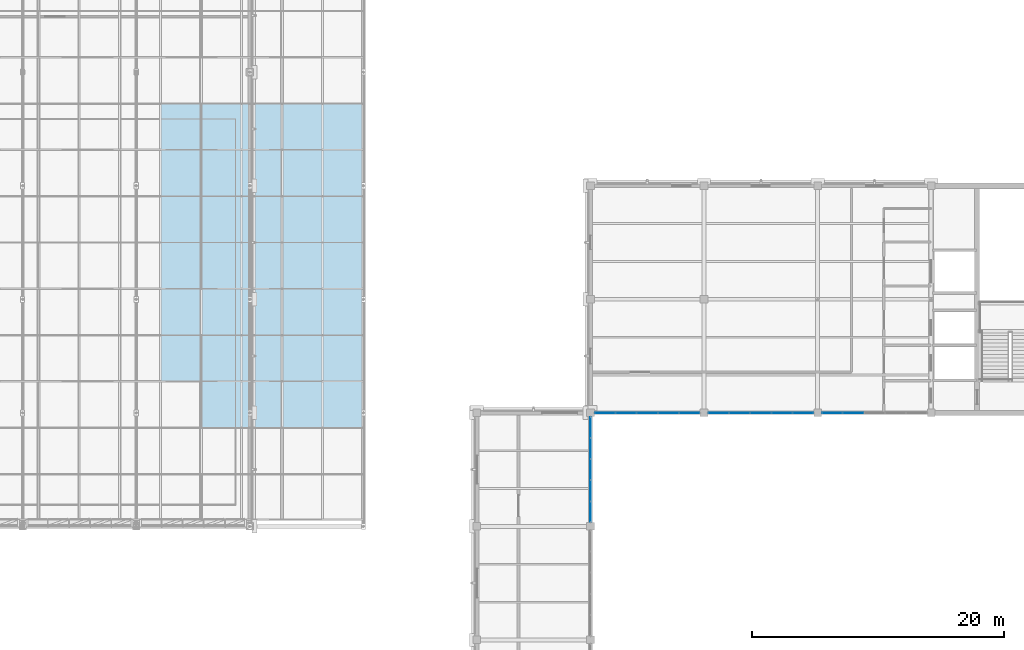
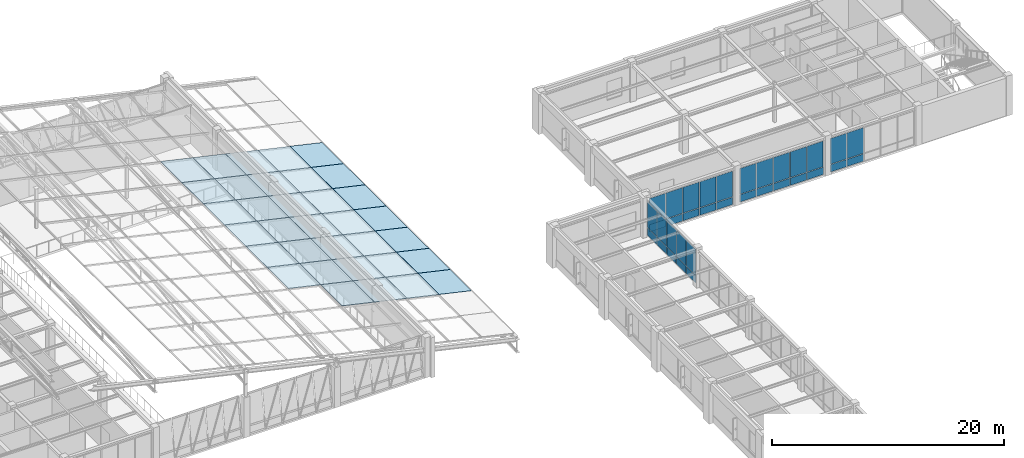
# One storey, part 107 of 130: 68 plates, 7 elements without a shape of their own.
"""IFC4 building model written with IfcOpenShell, lengths in metres."""

from ifc_helpers import new_model, si_unit, direction, frame, origin, origin_2d, place, context, subcontext, project, spatial, rectangle, extrude, material, layer, layer_set, type_object, element, aggregate, save


model = new_model("IFC4")

# Units and contexts
model_context = context("Model", 3, precision=1e-05, world=origin(), true_north=direction((0.0, 1.0)))
body_context = subcontext(model_context, "Body", "Model", "MODEL_VIEW")
ifc_project = project(units=[si_unit("LENGTHUNIT", "METRE"), si_unit("AREAUNIT", "SQUARE_METRE"), si_unit("VOLUMEUNIT", "CUBIC_METRE"), si_unit("PLANEANGLEUNIT", "RADIAN"), si_unit("MASSUNIT", "GRAM", prefix="KILO")], contexts=[model_context])

# Site, building, storey
site_placement = place(None, origin())
site = spatial("IfcSite", under=ifc_project, at=site_placement, CompositionType="ELEMENT")
building_placement = place(site_placement, origin())
building = spatial("IfcBuilding", under=site, at=building_placement, Name="Lykobir Media Centre", CompositionType="ELEMENT")
storey_placement = place(building_placement, frame((0.0, 0.0, 19.199951171875)))
storey = spatial("IfcBuildingStorey", under=building, at=storey_placement, Name="L04", CompositionType="ELEMENT", Elevation=19.199951171875)

# Curtain wall, plates
ifc_material_1 = material(Name="Anodized Aluminium AW-6060", Category="aluminium")
curtain_wall_type_1 = type_object("IfcCurtainWallType", Name="CW-COURT-B", PredefinedType="NOTDEFINED", material=ifc_material_1)
curtain_wall_1_placement = place(storey_placement, origin())
curtain_wall_1 = element("IfcCurtainWall", 1, at=curtain_wall_1_placement, inside=storey, type_object=curtain_wall_type_1, Name="Curtain wall CW2-L04-0177", PredefinedType="NOTDEFINED")
ifc_material_2 = material(Name="Low-E Laminated Triple Glazing", Category="glass")
ifc_layer_1 = layer(ifc_material_2, 0.0380859375, Name="Low-E Laminated Triple Glazing")
ifc_layer_set_1 = layer_set([ifc_layer_1], Name="Low-E Laminated Triple Glazing")
plate_type_1 = type_object("IfcPlateType", Name="CWP-GLZ-38", PredefinedType="CURTAIN_PANEL", material=ifc_layer_set_1)
plate_1_placement = place(storey_placement, frame((99.0, 70.84228515625, 0.87744140625), z_axis=(0.0, 0.0, 1.0), x_axis=(0.0, -1.0, 0.0)))
plate_1 = element("IfcPlate", 2, at=plate_1_placement, type_object=plate_type_1, Name="CW2-L04-0177 panel 1.2", PredefinedType="CURTAIN_PANEL", context=body_context, shape_type="SweptSolid", body=[
    extrude(rectangle(XDim=1.595458984375, YDim=0.0380859375, at=origin_2d()), origin(), (0.0, 0.0, 1.0), 2.71044921875),
])
plate_2_placement = place(storey_placement, frame((99.0, 69.177978515625, 0.87744140625), z_axis=(0.0, 0.0, 1.0), x_axis=(0.0, -1.0, 0.0)))
plate_2 = element("IfcPlate", 3, at=plate_2_placement, type_object=plate_type_1, Name="CW2-L04-0177 panel 2.2", PredefinedType="CURTAIN_PANEL", context=body_context, shape_type="SweptSolid", body=[
    extrude(rectangle(XDim=1.623046875, YDim=0.0380859375, at=origin_2d()), origin(), (0.0, 0.0, 1.0), 2.71044921875),
])
plate_3_placement = place(storey_placement, frame((99.0, 67.5, 0.87744140625), z_axis=(0.0, 0.0, 1.0), x_axis=(0.0, -1.0, 0.0)))
plate_3 = element("IfcPlate", 4, at=plate_3_placement, type_object=plate_type_1, Name="CW2-L04-0177 panel 3.2", PredefinedType="CURTAIN_PANEL", context=body_context, shape_type="SweptSolid", body=[
    extrude(rectangle(XDim=1.623046875, YDim=0.0380859375, at=origin_2d()), origin(), (0.0, 0.0, 1.0), 2.71044921875),
])
plate_4_placement = place(storey_placement, frame((99.0, 65.822021484375, 0.87744140625), z_axis=(0.0, 0.0, 1.0), x_axis=(0.0, -1.0, 0.0)))
plate_4 = element("IfcPlate", 5, at=plate_4_placement, type_object=plate_type_1, Name="CW2-L04-0177 panel 4.2", PredefinedType="CURTAIN_PANEL", context=body_context, shape_type="SweptSolid", body=[
    extrude(rectangle(XDim=1.623046875, YDim=0.0380859375, at=origin_2d()), origin(), (0.0, 0.0, 1.0), 2.71044921875),
])
plate_5_placement = place(storey_placement, frame((99.0, 64.15771484375, 0.87744140625), z_axis=(0.0, 0.0, 1.0), x_axis=(0.0, -1.0, 0.0)))
plate_5 = element("IfcPlate", 6, at=plate_5_placement, type_object=plate_type_1, Name="CW2-L04-0177 panel 5.2", PredefinedType="CURTAIN_PANEL", context=body_context, shape_type="SweptSolid", body=[
    extrude(rectangle(XDim=1.595458984375, YDim=0.0380859375, at=origin_2d()), origin(), (0.0, 0.0, 1.0), 2.71044921875),
])

curtain_wall_2_placement = place(storey_placement, origin())
curtain_wall_2 = element("IfcCurtainWall", 7, at=curtain_wall_2_placement, inside=storey, type_object=curtain_wall_type_1, Name="Curtain wall CW2-L04-0178", PredefinedType="NOTDEFINED")
plate_6_placement = place(storey_placement, frame((106.84228515625, 72.0, 0.87744140625), z_axis=(0.0, 0.0, 1.0), x_axis=(-1.0, 0.0, 0.0)))
plate_6 = element("IfcPlate", 8, at=plate_6_placement, type_object=plate_type_1, Name="CW2-L04-0178 panel 1.2", PredefinedType="CURTAIN_PANEL", context=body_context, shape_type="SweptSolid", body=[
    extrude(rectangle(XDim=1.595458984375, YDim=0.0380859375, at=origin_2d()), origin(), (0.0, 0.0, 1.0), 2.6923828125),
])
plate_7_placement = place(storey_placement, frame((105.177978515625, 72.0, 0.87744140625), z_axis=(0.0, 0.0, 1.0), x_axis=(-1.0, 0.0, 0.0)))
plate_7 = element("IfcPlate", 9, at=plate_7_placement, type_object=plate_type_1, Name="CW2-L04-0178 panel 2.2", PredefinedType="CURTAIN_PANEL", context=body_context, shape_type="SweptSolid", body=[
    extrude(rectangle(XDim=1.623046875, YDim=0.0380859375, at=origin_2d()), origin(), (0.0, 0.0, 1.0), 2.6923828125),
])
plate_8_placement = place(storey_placement, frame((103.5, 72.0, 0.87744140625), z_axis=(0.0, 0.0, 1.0), x_axis=(-1.0, 0.0, 0.0)))
plate_8 = element("IfcPlate", 10, at=plate_8_placement, type_object=plate_type_1, Name="CW2-L04-0178 panel 3.2", PredefinedType="CURTAIN_PANEL", context=body_context, shape_type="SweptSolid", body=[
    extrude(rectangle(XDim=1.623046875, YDim=0.0380859375, at=origin_2d()), origin(), (0.0, 0.0, 1.0), 2.6923828125),
])
plate_9_placement = place(storey_placement, frame((101.822021484375, 72.0, 0.87744140625), z_axis=(0.0, 0.0, 1.0), x_axis=(-1.0, 0.0, 0.0)))
plate_9 = element("IfcPlate", 11, at=plate_9_placement, type_object=plate_type_1, Name="CW2-L04-0178 panel 4.2", PredefinedType="CURTAIN_PANEL", context=body_context, shape_type="SweptSolid", body=[
    extrude(rectangle(XDim=1.623046875, YDim=0.0380859375, at=origin_2d()), origin(), (0.0, 0.0, 1.0), 2.6923828125),
])
plate_10_placement = place(storey_placement, frame((100.15771484375, 72.0, 0.87744140625), z_axis=(0.0, 0.0, 1.0), x_axis=(-1.0, 0.0, 0.0)))
plate_10 = element("IfcPlate", 12, at=plate_10_placement, type_object=plate_type_1, Name="CW2-L04-0178 panel 5.2", PredefinedType="CURTAIN_PANEL", context=body_context, shape_type="SweptSolid", body=[
    extrude(rectangle(XDim=1.595458984375, YDim=0.0380859375, at=origin_2d()), origin(), (0.0, 0.0, 1.0), 2.6923828125),
])

curtain_wall_3_placement = place(storey_placement, origin())
curtain_wall_3 = element("IfcCurtainWall", 13, at=curtain_wall_3_placement, inside=storey, type_object=curtain_wall_type_1, Name="Curtain wall CW2-L04-0179", PredefinedType="NOTDEFINED")
plate_11_placement = place(storey_placement, frame((115.84228515625, 72.0, 0.87744140625), z_axis=(0.0, 0.0, 1.0), x_axis=(-1.0, 0.0, 0.0)))
plate_11 = element("IfcPlate", 14, at=plate_11_placement, type_object=plate_type_1, Name="CW2-L04-0179 panel 1.2", PredefinedType="CURTAIN_PANEL", context=body_context, shape_type="SweptSolid", body=[
    extrude(rectangle(XDim=1.595458984375, YDim=0.0380859375, at=origin_2d()), origin(), (0.0, 0.0, 1.0), 2.6904296875),
])
plate_12_placement = place(storey_placement, frame((114.177978515625, 72.0, 0.87744140625), z_axis=(0.0, 0.0, 1.0), x_axis=(-1.0, 0.0, 0.0)))
plate_12 = element("IfcPlate", 15, at=plate_12_placement, type_object=plate_type_1, Name="CW2-L04-0179 panel 2.2", PredefinedType="CURTAIN_PANEL", context=body_context, shape_type="SweptSolid", body=[
    extrude(rectangle(XDim=1.623046875, YDim=0.0380859375, at=origin_2d()), origin(), (0.0, 0.0, 1.0), 2.6904296875),
])
plate_13_placement = place(storey_placement, frame((112.5, 72.0, 0.87744140625), z_axis=(0.0, 0.0, 1.0), x_axis=(-1.0, 0.0, 0.0)))
plate_13 = element("IfcPlate", 16, at=plate_13_placement, type_object=plate_type_1, Name="CW2-L04-0179 panel 3.2", PredefinedType="CURTAIN_PANEL", context=body_context, shape_type="SweptSolid", body=[
    extrude(rectangle(XDim=1.623046875, YDim=0.0380859375, at=origin_2d()), origin(), (0.0, 0.0, 1.0), 2.6904296875),
])
plate_14_placement = place(storey_placement, frame((110.822021484375, 72.0, 0.87744140625), z_axis=(0.0, 0.0, 1.0), x_axis=(-1.0, 0.0, 0.0)))
plate_14 = element("IfcPlate", 17, at=plate_14_placement, type_object=plate_type_1, Name="CW2-L04-0179 panel 4.2", PredefinedType="CURTAIN_PANEL", context=body_context, shape_type="SweptSolid", body=[
    extrude(rectangle(XDim=1.623046875, YDim=0.0380859375, at=origin_2d()), origin(), (0.0, 0.0, 1.0), 2.6904296875),
])
plate_15_placement = place(storey_placement, frame((109.15771484375, 72.0, 0.87744140625), z_axis=(0.0, 0.0, 1.0), x_axis=(-1.0, 0.0, 0.0)))
plate_15 = element("IfcPlate", 18, at=plate_15_placement, type_object=plate_type_1, Name="CW2-L04-0179 panel 5.2", PredefinedType="CURTAIN_PANEL", context=body_context, shape_type="SweptSolid", body=[
    extrude(rectangle(XDim=1.595458984375, YDim=0.0380859375, at=origin_2d()), origin(), (0.0, 0.0, 1.0), 2.6904296875),
])

curtain_wall_4_placement = place(storey_placement, origin())
curtain_wall_4 = element("IfcCurtainWall", 19, at=curtain_wall_4_placement, inside=storey, type_object=curtain_wall_type_1, Name="Curtain wall CW2-L04-0180", PredefinedType="NOTDEFINED")
plate_16_placement = place(storey_placement, frame((119.822021484375, 72.0, 0.87744140625), z_axis=(0.0, 0.0, 1.0), x_axis=(-1.0, 0.0, 0.0)))
plate_16 = element("IfcPlate", 20, at=plate_16_placement, type_object=plate_type_1, Name="CW2-L04-0180 panel 4.2", PredefinedType="CURTAIN_PANEL", context=body_context, shape_type="SweptSolid", body=[
    extrude(rectangle(XDim=1.623046875, YDim=0.0380859375, at=origin_2d()), origin(), (0.0, 0.0, 1.0), 2.702392578125),
])
plate_17_placement = place(storey_placement, frame((118.15771484375, 72.0, 0.87744140625), z_axis=(0.0, 0.0, 1.0), x_axis=(-1.0, 0.0, 0.0)))
plate_17 = element("IfcPlate", 21, at=plate_17_placement, type_object=plate_type_1, Name="CW2-L04-0180 panel 5.2", PredefinedType="CURTAIN_PANEL", context=body_context, shape_type="SweptSolid", body=[
    extrude(rectangle(XDim=1.595458984375, YDim=0.0380859375, at=origin_2d()), origin(), (0.0, 0.0, 1.0), 2.702392578125),
])

curtain_wall_type_2 = type_object("IfcCurtainWallType", Name="CW-V6-SKY", PredefinedType="NOTDEFINED", material=ifc_material_1)
curtain_wall_5_placement = place(storey_placement, origin())
curtain_wall_5 = element("IfcCurtainWall", 22, at=curtain_wall_5_placement, inside=storey, type_object=curtain_wall_type_2, Name="Curtain wall CW-V6-SKY01", PredefinedType="NOTDEFINED")
ifc_layer_2 = layer(ifc_material_2, 0.0439453125, Name="Low-E Laminated Triple Glazing")
ifc_layer_set_2 = layer_set([ifc_layer_2], Name="Low-E Laminated Triple Glazing")
plate_type_2 = type_object("IfcPlateType", Name="CWP-GLZ-44", PredefinedType="CURTAIN_PANEL", material=ifc_layer_set_2)
plate_18_placement = place(storey_placement, frame((80.998046875, 94.675048828125, 1.00048828125), z_axis=(-0.975261365164, 0.0, 0.221054901821), x_axis=(0.0, -1.0, 0.0)))
plate_18 = element("IfcPlate", 23, at=plate_18_placement, type_object=plate_type_2, Name="CW-V6-SKY01 panel 4.1", PredefinedType="CURTAIN_PANEL", context=body_context, shape_type="SweptSolid", body=[
    extrude(rectangle(XDim=3.6640625, YDim=0.0439453125, at=origin_2d()), origin(), (0.0, 0.0, 1.0), 3.290771484375),
])
plate_19_placement = place(storey_placement, frame((77.78271484375, 94.675048828125, 1.729248046875), z_axis=(-0.975261365164, 0.0, 0.221054901821), x_axis=(0.0, -1.0, 0.0)))
plate_19 = element("IfcPlate", 24, at=plate_19_placement, type_object=plate_type_2, Name="CW-V6-SKY01 panel 4.2", PredefinedType="CURTAIN_PANEL", context=body_context, shape_type="SweptSolid", body=[
    extrude(rectangle(XDim=3.6640625, YDim=0.0439453125, at=origin_2d()), origin(), (0.0, 0.0, 1.0), 3.290771484375),
])
plate_20_placement = place(storey_placement, frame((80.998046875, 91.0048828125, 1.00048828125), z_axis=(-0.975261365164, 0.0, 0.221054901821), x_axis=(0.0, -1.0, 0.0)))
plate_20 = element("IfcPlate", 25, at=plate_20_placement, type_object=plate_type_2, Name="CW-V6-SKY01 panel 5.1", PredefinedType="CURTAIN_PANEL", context=body_context, shape_type="SweptSolid", body=[
    extrude(rectangle(XDim=3.6640625, YDim=0.0439453125, at=origin_2d()), origin(), (0.0, 0.0, 1.0), 3.290771484375),
])
plate_21_placement = place(storey_placement, frame((77.78271484375, 91.0048828125, 1.729248046875), z_axis=(-0.975261365164, 0.0, 0.221054901821), x_axis=(0.0, -1.0, 0.0)))
plate_21 = element("IfcPlate", 26, at=plate_21_placement, type_object=plate_type_2, Name="CW-V6-SKY01 panel 5.2", PredefinedType="CURTAIN_PANEL", context=body_context, shape_type="SweptSolid", body=[
    extrude(rectangle(XDim=3.6640625, YDim=0.0439453125, at=origin_2d()), origin(), (0.0, 0.0, 1.0), 3.290771484375),
])
plate_22_placement = place(storey_placement, frame((80.998046875, 87.3349609375, 1.00048828125), z_axis=(-0.975261365164, 0.0, 0.221054901821), x_axis=(0.0, -1.0, 0.0)))
plate_22 = element("IfcPlate", 27, at=plate_22_placement, type_object=plate_type_2, Name="CW-V6-SKY01 panel 6.1", PredefinedType="CURTAIN_PANEL", context=body_context, shape_type="SweptSolid", body=[
    extrude(rectangle(XDim=3.6640625, YDim=0.0439453125, at=origin_2d()), origin(), (0.0, 0.0, 1.0), 3.290771484375),
])
plate_23_placement = place(storey_placement, frame((77.78271484375, 87.3349609375, 1.729248046875), z_axis=(-0.975261365164, 0.0, 0.221054901821), x_axis=(0.0, -1.0, 0.0)))
plate_23 = element("IfcPlate", 28, at=plate_23_placement, type_object=plate_type_2, Name="CW-V6-SKY01 panel 6.2", PredefinedType="CURTAIN_PANEL", context=body_context, shape_type="SweptSolid", body=[
    extrude(rectangle(XDim=3.6640625, YDim=0.0439453125, at=origin_2d()), origin(), (0.0, 0.0, 1.0), 3.290771484375),
])
plate_24_placement = place(storey_placement, frame((80.998046875, 83.6650390625, 1.00048828125), z_axis=(-0.975261365164, 0.0, 0.221054901821), x_axis=(0.0, -1.0, 0.0)))
plate_24 = element("IfcPlate", 29, at=plate_24_placement, type_object=plate_type_2, Name="CW-V6-SKY01 panel 7.1", PredefinedType="CURTAIN_PANEL", context=body_context, shape_type="SweptSolid", body=[
    extrude(rectangle(XDim=3.6640625, YDim=0.0439453125, at=origin_2d()), origin(), (0.0, 0.0, 1.0), 3.290771484375),
])
plate_25_placement = place(storey_placement, frame((77.78271484375, 83.6650390625, 1.729248046875), z_axis=(-0.975261365164, 0.0, 0.221054901821), x_axis=(0.0, -1.0, 0.0)))
plate_25 = element("IfcPlate", 30, at=plate_25_placement, type_object=plate_type_2, Name="CW-V6-SKY01 panel 7.2", PredefinedType="CURTAIN_PANEL", context=body_context, shape_type="SweptSolid", body=[
    extrude(rectangle(XDim=3.6640625, YDim=0.0439453125, at=origin_2d()), origin(), (0.0, 0.0, 1.0), 3.290771484375),
])
plate_26_placement = place(storey_placement, frame((80.998046875, 79.9951171875, 1.00048828125), z_axis=(-0.975261365164, 0.0, 0.221054901821), x_axis=(0.0, -1.0, 0.0)))
plate_26 = element("IfcPlate", 31, at=plate_26_placement, type_object=plate_type_2, Name="CW-V6-SKY01 panel 8.1", PredefinedType="CURTAIN_PANEL", context=body_context, shape_type="SweptSolid", body=[
    extrude(rectangle(XDim=3.6640625, YDim=0.0439453125, at=origin_2d()), origin(), (0.0, 0.0, 1.0), 3.290771484375),
])
plate_27_placement = place(storey_placement, frame((77.78271484375, 79.9951171875, 1.729248046875), z_axis=(-0.975261365164, 0.0, 0.221054901821), x_axis=(0.0, -1.0, 0.0)))
plate_27 = element("IfcPlate", 32, at=plate_27_placement, type_object=plate_type_2, Name="CW-V6-SKY01 panel 8.2", PredefinedType="CURTAIN_PANEL", context=body_context, shape_type="SweptSolid", body=[
    extrude(rectangle(XDim=3.6640625, YDim=0.0439453125, at=origin_2d()), origin(), (0.0, 0.0, 1.0), 3.290771484375),
])
plate_28_placement = place(storey_placement, frame((80.998046875, 76.324951171875, 1.00048828125), z_axis=(-0.975261365164, 0.0, 0.221054901821), x_axis=(0.0, -1.0, 0.0)))
plate_28 = element("IfcPlate", 33, at=plate_28_placement, type_object=plate_type_2, Name="CW-V6-SKY01 panel 9.1", PredefinedType="CURTAIN_PANEL", context=body_context, shape_type="SweptSolid", body=[
    extrude(rectangle(XDim=3.6640625, YDim=0.0439453125, at=origin_2d()), origin(), (0.0, 0.0, 1.0), 3.290771484375),
])
plate_29_placement = place(storey_placement, frame((77.78271484375, 76.324951171875, 1.729248046875), z_axis=(-0.975261365164, 0.0, 0.221054901821), x_axis=(0.0, -1.0, 0.0)))
plate_29 = element("IfcPlate", 34, at=plate_29_placement, type_object=plate_type_2, Name="CW-V6-SKY01 panel 9.2", PredefinedType="CURTAIN_PANEL", context=body_context, shape_type="SweptSolid", body=[
    extrude(rectangle(XDim=3.6640625, YDim=0.0439453125, at=origin_2d()), origin(), (0.0, 0.0, 1.0), 3.290771484375),
])
plate_30_placement = place(storey_placement, frame((80.998046875, 72.655029296875, 1.00048828125), z_axis=(-0.975261365164, 0.0, 0.221054901821), x_axis=(0.0, -1.0, 0.0)))
plate_30 = element("IfcPlate", 35, at=plate_30_placement, type_object=plate_type_2, Name="CW-V6-SKY01 panel 10.1", PredefinedType="CURTAIN_PANEL", context=body_context, shape_type="SweptSolid", body=[
    extrude(rectangle(XDim=3.6640625, YDim=0.0439453125, at=origin_2d()), origin(), (0.0, 0.0, 1.0), 3.290771484375),
])
plate_31_placement = place(storey_placement, frame((77.78271484375, 72.655029296875, 1.729248046875), z_axis=(-0.975261365164, 0.0, 0.221054901821), x_axis=(0.0, -1.0, 0.0)))
plate_31 = element("IfcPlate", 36, at=plate_31_placement, type_object=plate_type_2, Name="CW-V6-SKY01 panel 10.2", PredefinedType="CURTAIN_PANEL", context=body_context, shape_type="SweptSolid", body=[
    extrude(rectangle(XDim=3.6640625, YDim=0.0439453125, at=origin_2d()), origin(), (0.0, 0.0, 1.0), 3.290771484375),
])
aggregate(curtain_wall_5, [plate_18, plate_19, plate_20, plate_21, plate_22, plate_23, plate_24, plate_25, plate_26, plate_27, plate_28, plate_29, plate_30, plate_31])

curtain_wall_6_placement = place(storey_placement, origin())
curtain_wall_6 = element("IfcCurtainWall", 37, at=curtain_wall_6_placement, inside=storey, type_object=curtain_wall_type_2, Name="Curtain wall CW-V6-SKY02", PredefinedType="NOTDEFINED")
plate_32_placement = place(storey_placement, frame((74.5693359375, 94.675048828125, 2.45751953125), z_axis=(-0.975257506879, 0.0, 0.221071923309), x_axis=(0.0, -1.0, 0.0)))
plate_32 = element("IfcPlate", 38, at=plate_32_placement, type_object=plate_type_2, Name="CW-V6-SKY02 panel 4.1", PredefinedType="CURTAIN_PANEL", context=body_context, shape_type="SweptSolid", body=[
    extrude(rectangle(XDim=3.6640625, YDim=0.0439453125, at=origin_2d()), origin(), (0.0, 0.0, 1.0), 3.290771484375),
])
plate_33_placement = place(storey_placement, frame((71.354248046875, 94.675048828125, 3.1865234375), z_axis=(-0.975257506879, 0.0, 0.221071923309), x_axis=(0.0, -1.0, 0.0)))
plate_33 = element("IfcPlate", 39, at=plate_33_placement, type_object=plate_type_2, Name="CW-V6-SKY02 panel 4.2", PredefinedType="CURTAIN_PANEL", context=body_context, shape_type="SweptSolid", body=[
    extrude(rectangle(XDim=3.6640625, YDim=0.0439453125, at=origin_2d()), origin(), (0.0, 0.0, 1.0), 3.290771484375),
])
plate_34_placement = place(storey_placement, frame((74.5693359375, 91.0048828125, 2.45751953125), z_axis=(-0.975257506879, 0.0, 0.221071923309), x_axis=(0.0, -1.0, 0.0)))
plate_34 = element("IfcPlate", 40, at=plate_34_placement, type_object=plate_type_2, Name="CW-V6-SKY02 panel 5.1", PredefinedType="CURTAIN_PANEL", context=body_context, shape_type="SweptSolid", body=[
    extrude(rectangle(XDim=3.6640625, YDim=0.0439453125, at=origin_2d()), origin(), (0.0, 0.0, 1.0), 3.290771484375),
])
plate_35_placement = place(storey_placement, frame((71.354248046875, 91.0048828125, 3.1865234375), z_axis=(-0.975257506879, 0.0, 0.221071923309), x_axis=(0.0, -1.0, 0.0)))
plate_35 = element("IfcPlate", 41, at=plate_35_placement, type_object=plate_type_2, Name="CW-V6-SKY02 panel 5.2", PredefinedType="CURTAIN_PANEL", context=body_context, shape_type="SweptSolid", body=[
    extrude(rectangle(XDim=3.6640625, YDim=0.0439453125, at=origin_2d()), origin(), (0.0, 0.0, 1.0), 3.290771484375),
])
plate_36_placement = place(storey_placement, frame((74.5693359375, 87.3349609375, 2.45751953125), z_axis=(-0.975257506879, 0.0, 0.221071923309), x_axis=(0.0, -1.0, 0.0)))
plate_36 = element("IfcPlate", 42, at=plate_36_placement, type_object=plate_type_2, Name="CW-V6-SKY02 panel 6.1", PredefinedType="CURTAIN_PANEL", context=body_context, shape_type="SweptSolid", body=[
    extrude(rectangle(XDim=3.6640625, YDim=0.0439453125, at=origin_2d()), origin(), (0.0, 0.0, 1.0), 3.290771484375),
])
plate_37_placement = place(storey_placement, frame((71.354248046875, 87.3349609375, 3.1865234375), z_axis=(-0.975257506879, 0.0, 0.221071923309), x_axis=(0.0, -1.0, 0.0)))
plate_37 = element("IfcPlate", 43, at=plate_37_placement, type_object=plate_type_2, Name="CW-V6-SKY02 panel 6.2", PredefinedType="CURTAIN_PANEL", context=body_context, shape_type="SweptSolid", body=[
    extrude(rectangle(XDim=3.6640625, YDim=0.0439453125, at=origin_2d()), origin(), (0.0, 0.0, 1.0), 3.290771484375),
])
plate_38_placement = place(storey_placement, frame((74.5693359375, 83.6650390625, 2.45751953125), z_axis=(-0.975257506879, 0.0, 0.221071923309), x_axis=(0.0, -1.0, 0.0)))
plate_38 = element("IfcPlate", 44, at=plate_38_placement, type_object=plate_type_2, Name="CW-V6-SKY02 panel 7.1", PredefinedType="CURTAIN_PANEL", context=body_context, shape_type="SweptSolid", body=[
    extrude(rectangle(XDim=3.6640625, YDim=0.0439453125, at=origin_2d()), origin(), (0.0, 0.0, 1.0), 3.290771484375),
])
plate_39_placement = place(storey_placement, frame((71.354248046875, 83.6650390625, 3.1865234375), z_axis=(-0.975257506879, 0.0, 0.221071923309), x_axis=(0.0, -1.0, 0.0)))
plate_39 = element("IfcPlate", 45, at=plate_39_placement, type_object=plate_type_2, Name="CW-V6-SKY02 panel 7.2", PredefinedType="CURTAIN_PANEL", context=body_context, shape_type="SweptSolid", body=[
    extrude(rectangle(XDim=3.6640625, YDim=0.0439453125, at=origin_2d()), origin(), (0.0, 0.0, 1.0), 3.290771484375),
])
plate_40_placement = place(storey_placement, frame((74.5693359375, 79.9951171875, 2.45751953125), z_axis=(-0.975257506879, 0.0, 0.221071923309), x_axis=(0.0, -1.0, 0.0)))
plate_40 = element("IfcPlate", 46, at=plate_40_placement, type_object=plate_type_2, Name="CW-V6-SKY02 panel 8.1", PredefinedType="CURTAIN_PANEL", context=body_context, shape_type="SweptSolid", body=[
    extrude(rectangle(XDim=3.6640625, YDim=0.0439453125, at=origin_2d()), origin(), (0.0, 0.0, 1.0), 3.290771484375),
])
plate_41_placement = place(storey_placement, frame((71.354248046875, 79.9951171875, 3.1865234375), z_axis=(-0.975257506879, 0.0, 0.221071923309), x_axis=(0.0, -1.0, 0.0)))
plate_41 = element("IfcPlate", 47, at=plate_41_placement, type_object=plate_type_2, Name="CW-V6-SKY02 panel 8.2", PredefinedType="CURTAIN_PANEL", context=body_context, shape_type="SweptSolid", body=[
    extrude(rectangle(XDim=3.6640625, YDim=0.0439453125, at=origin_2d()), origin(), (0.0, 0.0, 1.0), 3.290771484375),
])
plate_42_placement = place(storey_placement, frame((74.5693359375, 76.324951171875, 2.45751953125), z_axis=(-0.975257506879, 0.0, 0.221071923309), x_axis=(0.0, -1.0, 0.0)))
plate_42 = element("IfcPlate", 48, at=plate_42_placement, type_object=plate_type_2, Name="CW-V6-SKY02 panel 9.1", PredefinedType="CURTAIN_PANEL", context=body_context, shape_type="SweptSolid", body=[
    extrude(rectangle(XDim=3.6640625, YDim=0.0439453125, at=origin_2d()), origin(), (0.0, 0.0, 1.0), 3.290771484375),
])
plate_43_placement = place(storey_placement, frame((71.354248046875, 76.324951171875, 3.1865234375), z_axis=(-0.975257506879, 0.0, 0.221071923309), x_axis=(0.0, -1.0, 0.0)))
plate_43 = element("IfcPlate", 49, at=plate_43_placement, type_object=plate_type_2, Name="CW-V6-SKY02 panel 9.2", PredefinedType="CURTAIN_PANEL", context=body_context, shape_type="SweptSolid", body=[
    extrude(rectangle(XDim=3.6640625, YDim=0.0439453125, at=origin_2d()), origin(), (0.0, 0.0, 1.0), 3.290771484375),
])
plate_44_placement = place(storey_placement, frame((74.5693359375, 72.655029296875, 2.45751953125), z_axis=(-0.975257506879, 0.0, 0.221071923309), x_axis=(0.0, -1.0, 0.0)))
plate_44 = element("IfcPlate", 50, at=plate_44_placement, type_object=plate_type_2, Name="CW-V6-SKY02 panel 10.1", PredefinedType="CURTAIN_PANEL", context=body_context, shape_type="SweptSolid", body=[
    extrude(rectangle(XDim=3.6640625, YDim=0.0439453125, at=origin_2d()), origin(), (0.0, 0.0, 1.0), 3.290771484375),
])
plate_45_placement = place(storey_placement, frame((71.354248046875, 72.655029296875, 3.1865234375), z_axis=(-0.975257506879, 0.0, 0.221071923309), x_axis=(0.0, -1.0, 0.0)))
plate_45 = element("IfcPlate", 51, at=plate_45_placement, type_object=plate_type_2, Name="CW-V6-SKY02 panel 10.2", PredefinedType="CURTAIN_PANEL", context=body_context, shape_type="SweptSolid", body=[
    extrude(rectangle(XDim=3.6640625, YDim=0.0439453125, at=origin_2d()), origin(), (0.0, 0.0, 1.0), 3.290771484375),
])
aggregate(curtain_wall_6, [plate_32, plate_33, plate_34, plate_35, plate_36, plate_37, plate_38, plate_39, plate_40, plate_41, plate_42, plate_43, plate_44, plate_45])

curtain_wall_7_placement = place(storey_placement, origin())
curtain_wall_7 = element("IfcCurtainWall", 52, at=curtain_wall_7_placement, inside=storey, type_object=curtain_wall_type_2, Name="Curtain wall CW-V6-SKY03", PredefinedType="NOTDEFINED")
plate_46_placement = place(storey_placement, frame((68.140869140625, 94.675048828125, 3.914794921875), z_axis=(-0.975261365164, 0.0, 0.221054901821), x_axis=(0.0, -1.0, 0.0)))
plate_46 = element("IfcPlate", 53, at=plate_46_placement, type_object=plate_type_2, Name="CW-V6-SKY03 panel 4.1", PredefinedType="CURTAIN_PANEL", context=body_context, shape_type="SweptSolid", body=[
    extrude(rectangle(XDim=3.6640625, YDim=0.0439453125, at=origin_2d()), origin(), (0.0, 0.0, 1.0), 3.290771484375),
])
plate_47_placement = place(storey_placement, frame((68.140869140625, 91.0048828125, 3.914794921875), z_axis=(-0.975261365164, 0.0, 0.221054901821), x_axis=(0.0, -1.0, 0.0)))
plate_47 = element("IfcPlate", 54, at=plate_47_placement, type_object=plate_type_2, Name="CW-V6-SKY03 panel 5.1", PredefinedType="CURTAIN_PANEL", context=body_context, shape_type="SweptSolid", body=[
    extrude(rectangle(XDim=3.6640625, YDim=0.0439453125, at=origin_2d()), origin(), (0.0, 0.0, 1.0), 3.290771484375),
])
plate_48_placement = place(storey_placement, frame((68.140869140625, 87.3349609375, 3.914794921875), z_axis=(-0.975261365164, 0.0, 0.221054901821), x_axis=(0.0, -1.0, 0.0)))
plate_48 = element("IfcPlate", 55, at=plate_48_placement, type_object=plate_type_2, Name="CW-V6-SKY03 panel 6.1", PredefinedType="CURTAIN_PANEL", context=body_context, shape_type="SweptSolid", body=[
    extrude(rectangle(XDim=3.6640625, YDim=0.0439453125, at=origin_2d()), origin(), (0.0, 0.0, 1.0), 3.290771484375),
])
plate_49_placement = place(storey_placement, frame((68.140869140625, 83.6650390625, 3.914794921875), z_axis=(-0.975261365164, 0.0, 0.221054901821), x_axis=(0.0, -1.0, 0.0)))
plate_49 = element("IfcPlate", 56, at=plate_49_placement, type_object=plate_type_2, Name="CW-V6-SKY03 panel 7.1", PredefinedType="CURTAIN_PANEL", context=body_context, shape_type="SweptSolid", body=[
    extrude(rectangle(XDim=3.6640625, YDim=0.0439453125, at=origin_2d()), origin(), (0.0, 0.0, 1.0), 3.290771484375),
])
plate_50_placement = place(storey_placement, frame((68.140869140625, 79.9951171875, 3.914794921875), z_axis=(-0.975261365164, 0.0, 0.221054901821), x_axis=(0.0, -1.0, 0.0)))
plate_50 = element("IfcPlate", 57, at=plate_50_placement, type_object=plate_type_2, Name="CW-V6-SKY03 panel 8.1", PredefinedType="CURTAIN_PANEL", context=body_context, shape_type="SweptSolid", body=[
    extrude(rectangle(XDim=3.6640625, YDim=0.0439453125, at=origin_2d()), origin(), (0.0, 0.0, 1.0), 3.290771484375),
])
plate_51_placement = place(storey_placement, frame((68.140869140625, 76.324951171875, 3.914794921875), z_axis=(-0.975261365164, 0.0, 0.221054901821), x_axis=(0.0, -1.0, 0.0)))
plate_51 = element("IfcPlate", 58, at=plate_51_placement, type_object=plate_type_2, Name="CW-V6-SKY03 panel 9.1", PredefinedType="CURTAIN_PANEL", context=body_context, shape_type="SweptSolid", body=[
    extrude(rectangle(XDim=3.6640625, YDim=0.0439453125, at=origin_2d()), origin(), (0.0, 0.0, 1.0), 3.290771484375),
])
aggregate(curtain_wall_7, [plate_46, plate_47, plate_48, plate_49, plate_50, plate_51])

# Plate
ifc_material_3 = material(Name="Pre-Weathered Titanium-Zinc", Category="metal")
ifc_layer_3 = layer(ifc_material_3, 0.052001953125, Name="Pre-Weathered Titanium-Zinc")
ifc_layer_set_3 = layer_set([ifc_layer_3], Name="Pre-Weathered Titanium-Zinc")
plate_type_3 = type_object("IfcPlateType", Name="CWP-SPN-52", PredefinedType="CURTAIN_PANEL", material=ifc_layer_set_3)
plate_52_placement = place(storey_placement, frame((99.0, 70.84228515625, 0.054931640625), z_axis=(0.0, 0.0, 1.0), x_axis=(0.0, -1.0, 0.0)))
plate_52 = element("IfcPlate", 59, at=plate_52_placement, type_object=plate_type_3, Name="CW2-L04-0177 panel 1.1", PredefinedType="CURTAIN_PANEL", context=body_context, shape_type="SweptSolid", body=[
    extrude(rectangle(XDim=1.595458984375, YDim=0.052001953125, at=origin_2d()), origin(), (0.0, 0.0, 1.0), 0.767578125),
])

plate_53_placement = place(storey_placement, frame((99.0, 69.177978515625, 0.054931640625), z_axis=(0.0, 0.0, 1.0), x_axis=(0.0, -1.0, 0.0)))
plate_53 = element("IfcPlate", 60, at=plate_53_placement, type_object=plate_type_3, Name="CW2-L04-0177 panel 2.1", PredefinedType="CURTAIN_PANEL", context=body_context, shape_type="SweptSolid", body=[
    extrude(rectangle(XDim=1.623046875, YDim=0.052001953125, at=origin_2d()), origin(), (0.0, 0.0, 1.0), 0.767578125),
])

plate_54_placement = place(storey_placement, frame((99.0, 67.5, 0.054931640625), z_axis=(0.0, 0.0, 1.0), x_axis=(0.0, -1.0, 0.0)))
plate_54 = element("IfcPlate", 61, at=plate_54_placement, type_object=plate_type_3, Name="CW2-L04-0177 panel 3.1", PredefinedType="CURTAIN_PANEL", context=body_context, shape_type="SweptSolid", body=[
    extrude(rectangle(XDim=1.623046875, YDim=0.052001953125, at=origin_2d()), origin(), (0.0, 0.0, 1.0), 0.767578125),
])

plate_55_placement = place(storey_placement, frame((99.0, 65.822021484375, 0.054931640625), z_axis=(0.0, 0.0, 1.0), x_axis=(0.0, -1.0, 0.0)))
plate_55 = element("IfcPlate", 62, at=plate_55_placement, type_object=plate_type_3, Name="CW2-L04-0177 panel 4.1", PredefinedType="CURTAIN_PANEL", context=body_context, shape_type="SweptSolid", body=[
    extrude(rectangle(XDim=1.623046875, YDim=0.052001953125, at=origin_2d()), origin(), (0.0, 0.0, 1.0), 0.767578125),
])

plate_56_placement = place(storey_placement, frame((99.0, 64.15771484375, 0.054931640625), z_axis=(0.0, 0.0, 1.0), x_axis=(0.0, -1.0, 0.0)))
plate_56 = element("IfcPlate", 63, at=plate_56_placement, type_object=plate_type_3, Name="CW2-L04-0177 panel 5.1", PredefinedType="CURTAIN_PANEL", context=body_context, shape_type="SweptSolid", body=[
    extrude(rectangle(XDim=1.595458984375, YDim=0.052001953125, at=origin_2d()), origin(), (0.0, 0.0, 1.0), 0.767578125),
])

aggregate(curtain_wall_1, [plate_52, plate_1, plate_53, plate_2, plate_54, plate_3, plate_55, plate_4, plate_56, plate_5])

plate_57_placement = place(storey_placement, frame((106.84228515625, 72.0, 0.054931640625), z_axis=(0.0, 0.0, 1.0), x_axis=(-1.0, 0.0, 0.0)))
plate_57 = element("IfcPlate", 64, at=plate_57_placement, type_object=plate_type_3, Name="CW2-L04-0178 panel 1.1", PredefinedType="CURTAIN_PANEL", context=body_context, shape_type="SweptSolid", body=[
    extrude(rectangle(XDim=1.595458984375, YDim=0.052001953125, at=origin_2d()), origin(), (0.0, 0.0, 1.0), 0.767578125),
])

plate_58_placement = place(storey_placement, frame((105.177978515625, 72.0, 0.054931640625), z_axis=(0.0, 0.0, 1.0), x_axis=(-1.0, 0.0, 0.0)))
plate_58 = element("IfcPlate", 65, at=plate_58_placement, type_object=plate_type_3, Name="CW2-L04-0178 panel 2.1", PredefinedType="CURTAIN_PANEL", context=body_context, shape_type="SweptSolid", body=[
    extrude(rectangle(XDim=1.623046875, YDim=0.052001953125, at=origin_2d()), origin(), (0.0, 0.0, 1.0), 0.767578125),
])

plate_59_placement = place(storey_placement, frame((103.5, 72.0, 0.054931640625), z_axis=(0.0, 0.0, 1.0), x_axis=(-1.0, 0.0, 0.0)))
plate_59 = element("IfcPlate", 66, at=plate_59_placement, type_object=plate_type_3, Name="CW2-L04-0178 panel 3.1", PredefinedType="CURTAIN_PANEL", context=body_context, shape_type="SweptSolid", body=[
    extrude(rectangle(XDim=1.623046875, YDim=0.052001953125, at=origin_2d()), origin(), (0.0, 0.0, 1.0), 0.767578125),
])

plate_60_placement = place(storey_placement, frame((101.822021484375, 72.0, 0.054931640625), z_axis=(0.0, 0.0, 1.0), x_axis=(-1.0, 0.0, 0.0)))
plate_60 = element("IfcPlate", 67, at=plate_60_placement, type_object=plate_type_3, Name="CW2-L04-0178 panel 4.1", PredefinedType="CURTAIN_PANEL", context=body_context, shape_type="SweptSolid", body=[
    extrude(rectangle(XDim=1.623046875, YDim=0.052001953125, at=origin_2d()), origin(), (0.0, 0.0, 1.0), 0.767578125),
])

plate_61_placement = place(storey_placement, frame((100.15771484375, 72.0, 0.054931640625), z_axis=(0.0, 0.0, 1.0), x_axis=(-1.0, 0.0, 0.0)))
plate_61 = element("IfcPlate", 68, at=plate_61_placement, type_object=plate_type_3, Name="CW2-L04-0178 panel 5.1", PredefinedType="CURTAIN_PANEL", context=body_context, shape_type="SweptSolid", body=[
    extrude(rectangle(XDim=1.595458984375, YDim=0.052001953125, at=origin_2d()), origin(), (0.0, 0.0, 1.0), 0.767578125),
])

aggregate(curtain_wall_2, [plate_57, plate_6, plate_58, plate_7, plate_59, plate_8, plate_60, plate_9, plate_61, plate_10])

plate_62_placement = place(storey_placement, frame((115.84228515625, 72.0, 0.054931640625), z_axis=(0.0, 0.0, 1.0), x_axis=(-1.0, 0.0, 0.0)))
plate_62 = element("IfcPlate", 69, at=plate_62_placement, type_object=plate_type_3, Name="CW2-L04-0179 panel 1.1", PredefinedType="CURTAIN_PANEL", context=body_context, shape_type="SweptSolid", body=[
    extrude(rectangle(XDim=1.595458984375, YDim=0.052001953125, at=origin_2d()), origin(), (0.0, 0.0, 1.0), 0.767578125),
])

plate_63_placement = place(storey_placement, frame((114.177978515625, 72.0, 0.054931640625), z_axis=(0.0, 0.0, 1.0), x_axis=(-1.0, 0.0, 0.0)))
plate_63 = element("IfcPlate", 70, at=plate_63_placement, type_object=plate_type_3, Name="CW2-L04-0179 panel 2.1", PredefinedType="CURTAIN_PANEL", context=body_context, shape_type="SweptSolid", body=[
    extrude(rectangle(XDim=1.623046875, YDim=0.052001953125, at=origin_2d()), origin(), (0.0, 0.0, 1.0), 0.767578125),
])

plate_64_placement = place(storey_placement, frame((112.5, 72.0, 0.054931640625), z_axis=(0.0, 0.0, 1.0), x_axis=(-1.0, 0.0, 0.0)))
plate_64 = element("IfcPlate", 71, at=plate_64_placement, type_object=plate_type_3, Name="CW2-L04-0179 panel 3.1", PredefinedType="CURTAIN_PANEL", context=body_context, shape_type="SweptSolid", body=[
    extrude(rectangle(XDim=1.623046875, YDim=0.052001953125, at=origin_2d()), origin(), (0.0, 0.0, 1.0), 0.767578125),
])

plate_65_placement = place(storey_placement, frame((110.822021484375, 72.0, 0.054931640625), z_axis=(0.0, 0.0, 1.0), x_axis=(-1.0, 0.0, 0.0)))
plate_65 = element("IfcPlate", 72, at=plate_65_placement, type_object=plate_type_3, Name="CW2-L04-0179 panel 4.1", PredefinedType="CURTAIN_PANEL", context=body_context, shape_type="SweptSolid", body=[
    extrude(rectangle(XDim=1.623046875, YDim=0.052001953125, at=origin_2d()), origin(), (0.0, 0.0, 1.0), 0.767578125),
])

plate_66_placement = place(storey_placement, frame((109.15771484375, 72.0, 0.054931640625), z_axis=(0.0, 0.0, 1.0), x_axis=(-1.0, 0.0, 0.0)))
plate_66 = element("IfcPlate", 73, at=plate_66_placement, type_object=plate_type_3, Name="CW2-L04-0179 panel 5.1", PredefinedType="CURTAIN_PANEL", context=body_context, shape_type="SweptSolid", body=[
    extrude(rectangle(XDim=1.595458984375, YDim=0.052001953125, at=origin_2d()), origin(), (0.0, 0.0, 1.0), 0.767578125),
])

aggregate(curtain_wall_3, [plate_62, plate_11, plate_63, plate_12, plate_64, plate_13, plate_65, plate_14, plate_66, plate_15])

plate_67_placement = place(storey_placement, frame((119.822021484375, 72.0, 0.054931640625), z_axis=(0.0, 0.0, 1.0), x_axis=(-1.0, 0.0, 0.0)))
plate_67 = element("IfcPlate", 74, at=plate_67_placement, type_object=plate_type_3, Name="CW2-L04-0180 panel 4.1", PredefinedType="CURTAIN_PANEL", context=body_context, shape_type="SweptSolid", body=[
    extrude(rectangle(XDim=1.623046875, YDim=0.052001953125, at=origin_2d()), origin(), (0.0, 0.0, 1.0), 0.767578125),
])

plate_68_placement = place(storey_placement, frame((118.15771484375, 72.0, 0.054931640625), z_axis=(0.0, 0.0, 1.0), x_axis=(-1.0, 0.0, 0.0)))
plate_68 = element("IfcPlate", 75, at=plate_68_placement, type_object=plate_type_3, Name="CW2-L04-0180 panel 5.1", PredefinedType="CURTAIN_PANEL", context=body_context, shape_type="SweptSolid", body=[
    extrude(rectangle(XDim=1.595458984375, YDim=0.052001953125, at=origin_2d()), origin(), (0.0, 0.0, 1.0), 0.767578125),
])

aggregate(curtain_wall_4, [plate_67, plate_16, plate_68, plate_17])

save(model, "model.ifc")
